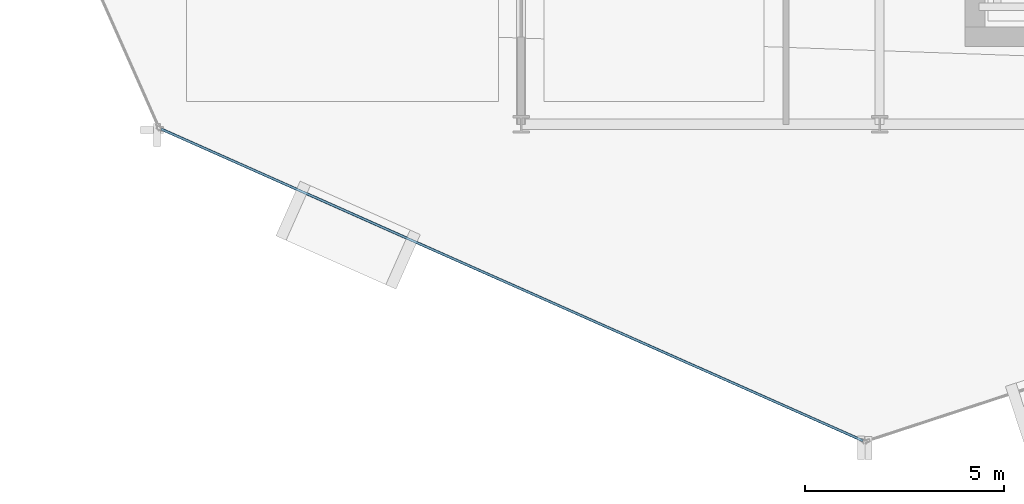
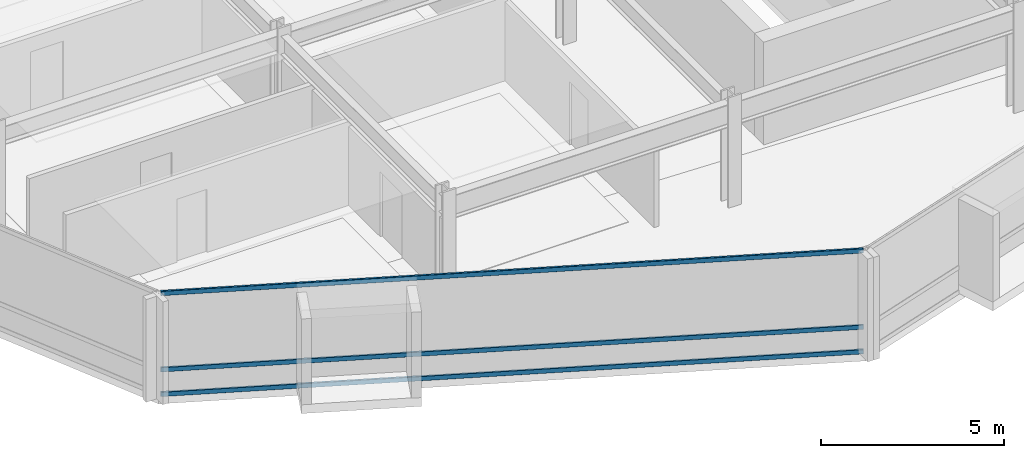
# One storey, part 3 of 29: 3 members, 1 element without a shape of its own.
"""IFC4 building model written with IfcOpenShell, lengths in metres."""

from ifc_helpers import new_model, si_unit, direction, frame, origin, origin_2d, place, context, subcontext, project, spatial, hollow_rectangle, extrude, material, layer, layer_set, material_profile, profile_set, type_object, element, aggregate, save


model = new_model("IFC4")

# Units and contexts
model_context = context("Model", 3, precision=1e-05, world=origin(), true_north=direction((0.0, 1.0)))
body_context = subcontext(model_context, "Body", "Model", "MODEL_VIEW")
ifc_project = project(units=[si_unit("LENGTHUNIT", "METRE"), si_unit("AREAUNIT", "SQUARE_METRE"), si_unit("VOLUMEUNIT", "CUBIC_METRE"), si_unit("PLANEANGLEUNIT", "RADIAN"), si_unit("MASSUNIT", "GRAM", prefix="KILO")], contexts=[model_context])

# Site, building, storey
site_placement = place(None, origin())
site = spatial("IfcSite", under=ifc_project, at=site_placement, CompositionType="ELEMENT")
building_placement = place(site_placement, origin())
building = spatial("IfcBuilding", under=site, at=building_placement, Name="Solvaryn Broadcast Tower", CompositionType="ELEMENT")
storey_placement = place(building_placement, frame((0.0, 0.0, 143.300048828125)))
storey = spatial("IfcBuildingStorey", under=building, at=storey_placement, Name="L35", CompositionType="ELEMENT", Elevation=143.300048828125)

# Curtain wall, members
ifc_material_1 = material(Name="Aluminium and Terracotta Unitised Curtain Wall", Category="masonry")
ifc_layer = layer(ifc_material_1, 0.199951171875)
ifc_layer_set = layer_set([ifc_layer], Name="CW-SYS2-LOWMID")
curtain_wall_type = type_object("IfcCurtainWallType", Name="CW-SYS2-LOWMID", PredefinedType="NOTDEFINED", material=ifc_layer_set)
curtain_wall_placement = place(storey_placement, origin())
curtain_wall = element("IfcCurtainWall", 1, at=curtain_wall_placement, inside=storey, type_object=curtain_wall_type, Name="L35 Curtain Wall DR3", PredefinedType="NOTDEFINED")
ifc_material_2 = material(Name="Anodised Aluminium 6063-T6", Category="aluminium")
ifc_material_profile = material_profile(ifc_material_2, hollow_rectangle(XDim=0.06494140625, YDim=0.14990234375, WallThickness=0.00390625, InnerFilletRadius=0.00390625, OuterFilletRadius=0.008056640625, at=origin_2d()))
ifc_profile_set = profile_set([ifc_material_profile], Name="Anodised Aluminium 6063-T6")
member_type = type_object("IfcMemberType", Name="CW-TRN-150", PredefinedType="USERDEFINED", material=ifc_profile_set)
member_1_placement = place(storey_placement, frame((8.962890625, 8.883544921875, 0.030029296875), z_axis=(0.913909703223, -0.405917546252, 0.0), x_axis=(0.405917546252, 0.913909703223, 0.0)))
member_1 = element("IfcMember", 2, at=member_1_placement, type_object=member_type, Name="CWS2 transom 1.1", ObjectType="TRANSOM", PredefinedType="USERDEFINED", context=body_context, shape_type="SweptSolid", body=[
    extrude(hollow_rectangle(XDim=0.06494140625, YDim=0.14990234375, WallThickness=0.00390625, InnerFilletRadius=0.00390625, OuterFilletRadius=0.008056640625, at=origin_2d()), origin(), (0.0, 0.0, 1.0), 19.27783203125),
])
member_2_placement = place(storey_placement, frame((8.962890625, 8.883544921875, 0.849853515625), z_axis=(0.913909703223, -0.405917546252, 0.0), x_axis=(0.405917546252, 0.913909703223, 0.0)))
member_2 = element("IfcMember", 3, at=member_2_placement, type_object=member_type, Name="CWS2 transom 1.2", ObjectType="TRANSOM", PredefinedType="USERDEFINED", context=body_context, shape_type="SweptSolid", body=[
    extrude(hollow_rectangle(XDim=0.06494140625, YDim=0.14990234375, WallThickness=0.00390625, InnerFilletRadius=0.00390625, OuterFilletRadius=0.008056640625, at=origin_2d()), origin(), (0.0, 0.0, 1.0), 19.27783203125),
])
member_3_placement = place(storey_placement, frame((8.962890625, 8.883544921875, 3.389892578125), z_axis=(0.913909703223, -0.405917546252, 0.0), x_axis=(0.405917546252, 0.913909703223, 0.0)))
member_3 = element("IfcMember", 4, at=member_3_placement, type_object=member_type, Name="CWS2 transom 1.3", ObjectType="TRANSOM", PredefinedType="USERDEFINED", context=body_context, shape_type="SweptSolid", body=[
    extrude(hollow_rectangle(XDim=0.06494140625, YDim=0.14990234375, WallThickness=0.00390625, InnerFilletRadius=0.00390625, OuterFilletRadius=0.008056640625, at=origin_2d()), origin(), (0.0, 0.0, 1.0), 19.27783203125),
])
aggregate(curtain_wall, [member_1, member_2, member_3])

save(model, "model.ifc")
